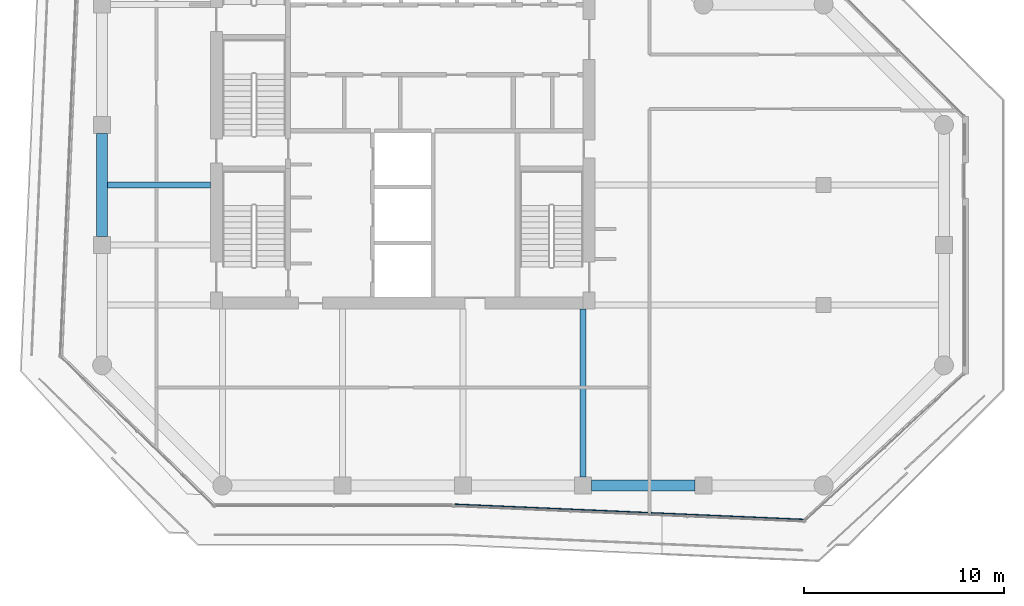
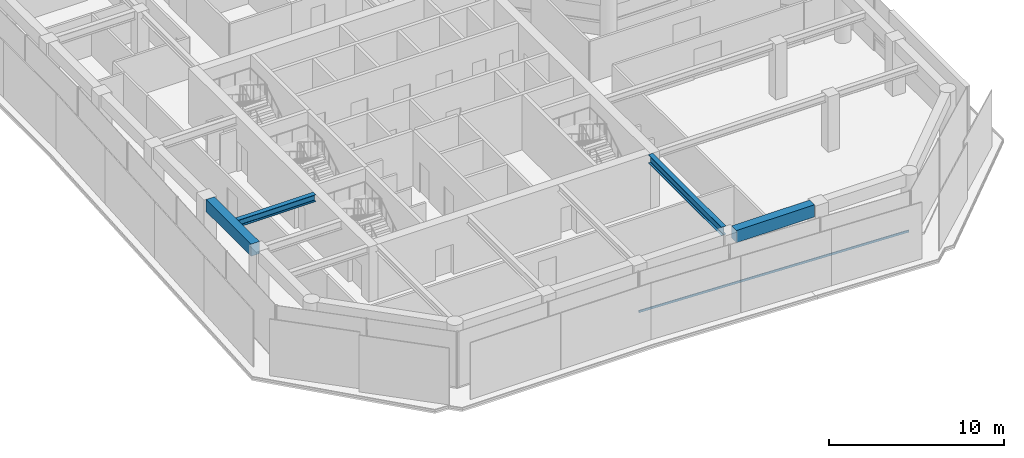
# One storey, part 3 of 21: 4 beams, 1 member, 1 element without a shape of its own.
"""IFC4 building model written with IfcOpenShell, lengths in metres."""

from ifc_helpers import new_model, si_unit, direction, frame, origin, origin_2d, place, context, subcontext, project, spatial, rectangle, i_section, extrude, material, layer, layer_set, material_profile, profile_set, type_object, element, aggregate, save


model = new_model("IFC4")

# Units and contexts
model_context = context("Model", 3, precision=1e-05, world=origin(), true_north=direction((0.0, 1.0)))
body_context = subcontext(model_context, "Body", "Model", "MODEL_VIEW")
ifc_project = project(units=[si_unit("LENGTHUNIT", "METRE"), si_unit("AREAUNIT", "SQUARE_METRE"), si_unit("VOLUMEUNIT", "CUBIC_METRE"), si_unit("PLANEANGLEUNIT", "RADIAN"), si_unit("MASSUNIT", "GRAM", prefix="KILO")], contexts=[model_context])

# Site, building, storey
site_placement = place(None, origin())
site = spatial("IfcSite", under=ifc_project, at=site_placement, CompositionType="ELEMENT")
building_placement = place(site_placement, origin())
building = spatial("IfcBuilding", under=site, at=building_placement, Name="Welwitschia Terrace Campus", CompositionType="ELEMENT")
storey_placement = place(building_placement, frame((0.0, 0.0, 159.199951171875)))
storey = spatial("IfcBuildingStorey", under=building, at=storey_placement, Name="L35", CompositionType="ELEMENT", Elevation=159.199951171875)

# Beams
ifc_material_1 = material(Name="Steel S355", Category="steel")
ifc_material_profile_1 = material_profile(ifc_material_1, i_section(OverallWidth=0.300048828125, OverallDepth=0.489990234375, WebThickness=0.011962890625, FlangeThickness=0.02294921875, FilletRadius=0.027099609375, at=origin_2d()))
ifc_profile_set_1 = profile_set([ifc_material_profile_1], Name="Steel S355")
beam_type_1 = type_object("IfcBeamType", Name="Interior girder HE 500 A", PredefinedType="BEAM", material=ifc_profile_set_1)
beam_1_placement = place(storey_placement, frame((-0.010009765625, 11.0, 3.60498046875), z_axis=(1.0, 0.0, 0.0), x_axis=(0.0, 1.0, 0.0)))
element("IfcBeam", 1, at=beam_1_placement, inside=storey, type_object=beam_type_1, Name="Girder GB4", PredefinedType="BEAM", context=body_context, shape_type="SweptSolid", body=[
    extrude(i_section(OverallWidth=0.300048828125, OverallDepth=0.489990234375, WebThickness=0.011962890625, FlangeThickness=0.02294921875, FilletRadius=0.027099609375, at=origin_2d()), origin(), (0.0, 0.0, 1.0), 5.408935546875),
])
ifc_material_2 = material(Name="Steel S355", Category="steel")
ifc_material_profile_2 = material_profile(ifc_material_2, i_section(OverallWidth=0.300048828125, OverallDepth=0.590087890625, WebThickness=0.012939453125, FlangeThickness=0.02490234375, FilletRadius=0.027099609375, at=origin_2d()))
ifc_profile_set_2 = profile_set([ifc_material_profile_2], Name="Steel S355")
beam_type_2 = type_object("IfcBeamType", Name="Primary beam HE 600 A", PredefinedType="BEAM", material=ifc_profile_set_2)
beam_2_placement = place(storey_placement, frame((24.0, -3.574462890625, 3.554931640625), z_axis=(0.0, 1.0, 0.0), x_axis=(-1.0, 0.0, 0.0)))
element("IfcBeam", 2, at=beam_2_placement, inside=storey, type_object=beam_type_2, Name="Primary beam PB4", PredefinedType="BEAM", context=body_context, shape_type="SweptSolid", body=[
    extrude(i_section(OverallWidth=0.300048828125, OverallDepth=0.590087890625, WebThickness=0.012939453125, FlangeThickness=0.02490234375, FilletRadius=0.027099609375, at=origin_2d()), origin(), (0.0, 0.0, 1.0), 8.37451171875),
])
ifc_material_3 = material(Name="Concrete C50/60", Category="concrete")
ifc_material_profile_3 = material_profile(ifc_material_3, rectangle(XDim=0.550048828125, YDim=0.85009765625, at=origin_2d()))
ifc_profile_set_3 = profile_set([ifc_material_profile_3], Name="Concrete C50/60")
beam_type_3 = type_object("IfcBeamType", Name="Ring spandrel 550x850", PredefinedType="SPANDREL", material=ifc_profile_set_3)
for number, where, z_axis, x_axis, name in (
    (3, (24.425537109375, -4.0, 3.425048828125), (1.0, 0.0, 0.0), (0.0, 1.0, 0.0), "Spandrel SP3"),
    (4, (0.0, 13.574462890625, 3.425048828125), (0.0, -1.0, 0.0), (1.0, 0.0, 0.0), "Spandrel SP3"),
):
    element("IfcBeam", number, at=place(storey_placement, frame(where, z_axis=z_axis, x_axis=x_axis)), inside=storey, type_object=beam_type_3, Name=name, PredefinedType="SPANDREL", context=body_context, shape_type="SweptSolid", body=[
        extrude(rectangle(XDim=0.550048828125, YDim=0.85009765625, at=origin_2d()), origin(), (0.0, 0.0, 1.0), 5.14892578125),
    ])

# Curtain wall, member
ifc_material_4 = material(Name="Bronze anodised aluminium", Category="aluminium")
ifc_layer = layer(ifc_material_4, 0.1201171875)
ifc_layer_set = layer_set([ifc_layer], Name="Bronze anodised aluminium")
curtain_wall_type = type_object("IfcCurtainWallType", Name="Curtain wall CW2 tower 6000", PredefinedType="NOTDEFINED", material=ifc_layer_set)
curtain_wall_placement = place(storey_placement, origin())
curtain_wall = element("IfcCurtainWall", 5, at=curtain_wall_placement, inside=storey, type_object=curtain_wall_type, Name="CW L35.3.0", PredefinedType="NOTDEFINED")
ifc_material_5 = material(Name="Bronze anodised aluminium", Category="aluminium")
ifc_material_profile_4 = material_profile(ifc_material_5, rectangle(XDim=0.06005859375, YDim=0.14990234375, at=origin_2d()))
ifc_profile_set_4 = profile_set([ifc_material_profile_4], Name="Bronze anodised aluminium")
member_type = type_object("IfcMemberType", Name="Transom 60x150", PredefinedType="USERDEFINED", material=ifc_profile_set_4)
member_placement = place(storey_placement, frame((17.591064453125, -4.942626953125, 1.0), z_axis=(0.999048095857, -0.043622266842, 0.0), x_axis=(0.043622266842, 0.999048095857, 0.0)))
member = element("IfcMember", 6, at=member_placement, type_object=member_type, Name="Transom L35.3.0", ObjectType="TRANSOM", PredefinedType="USERDEFINED", context=body_context, shape_type="SweptSolid", body=[
    extrude(rectangle(XDim=0.06005859375, YDim=0.14990234375, at=origin_2d()), origin(), (0.0, 0.0, 1.0), 17.40576171875),
])
aggregate(curtain_wall, [member])

save(model, "model.ifc")
